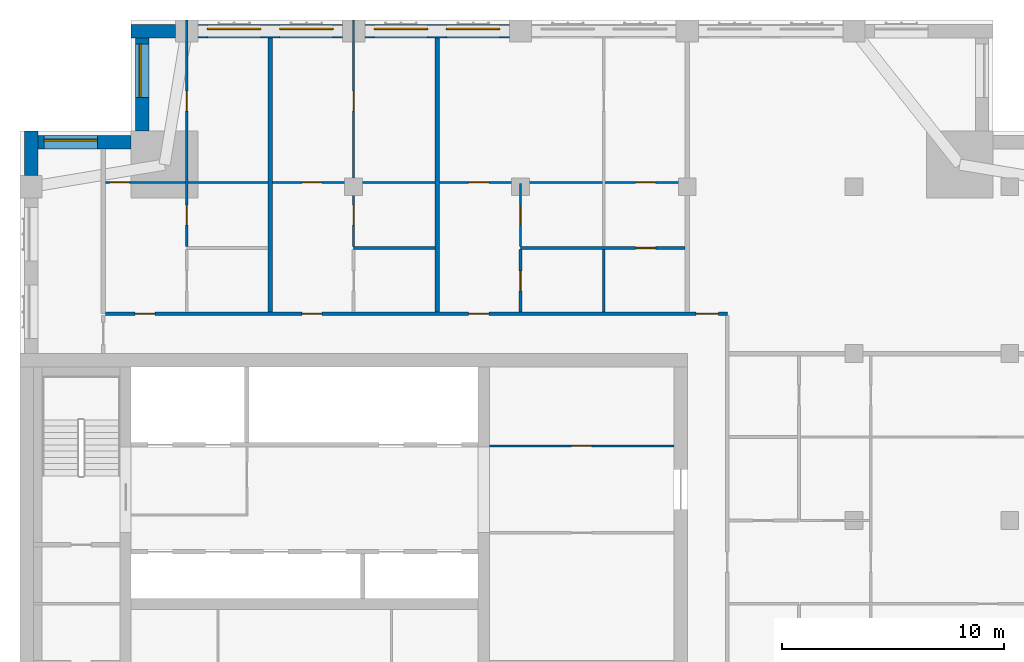
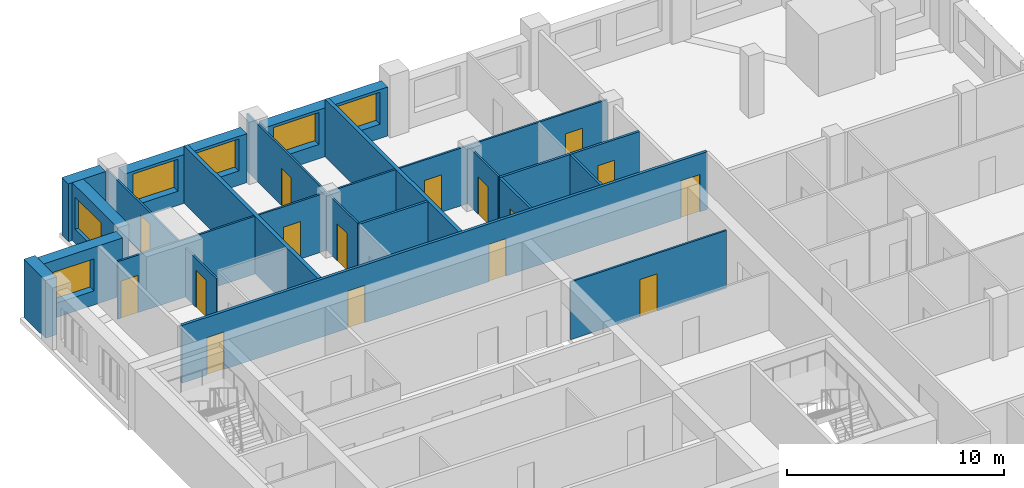
# One storey, part 7 of 11: 18 walls, 16 doors, 6 windows, 22 openings.
"""IFC4 building model written with IfcOpenShell, lengths in metres."""

from ifc_helpers import new_model, si_unit, direction, frame, frame_2d, origin, place, context, subcontext, project, spatial, rectangle, extrude, material, layer, layer_set, type_object, element, fill, save


model = new_model("IFC4")

# Units and contexts
model_context = context("Model", 3, precision=1e-05, world=origin(), true_north=direction((0.0, 1.0)))
body_context = subcontext(model_context, "Body", "Model", "MODEL_VIEW")
ifc_project = project(units=[si_unit("LENGTHUNIT", "METRE"), si_unit("AREAUNIT", "SQUARE_METRE"), si_unit("VOLUMEUNIT", "CUBIC_METRE"), si_unit("PLANEANGLEUNIT", "RADIAN"), si_unit("MASSUNIT", "GRAM", prefix="KILO")], contexts=[model_context])

# Site, building, storey
site_placement = place(None, origin())
site = spatial("IfcSite", under=ifc_project, at=site_placement, CompositionType="ELEMENT")
building_placement = place(site_placement, origin())
building = spatial("IfcBuilding", under=site, at=building_placement, Name="Tamorin Gate", CompositionType="ELEMENT")
storey_placement = place(building_placement, frame((0.0, 0.0, 233.699951171875)))
storey = spatial("IfcBuildingStorey", under=building, at=storey_placement, Name="L58", CompositionType="ELEMENT", Elevation=233.699951171875)

# Wall, openings, windows
ifc_material_1 = material(Name="Precast concrete C40/50", Category="concrete")
ifc_layer_1 = layer(ifc_material_1, 0.60009765625)
ifc_layer_set_1 = layer_set([ifc_layer_1], Name="Precast concrete C40/50")
wall_type_1 = type_object("IfcWallType", Name="Board-marked concrete facade panel 600", PredefinedType="SOLIDWALL", material=ifc_layer_set_1)
wall_1_placement = place(storey_placement, frame((52.0, 97.0, 0.0), z_axis=(0.0, 0.0, 1.0), x_axis=(-1.0, 0.0, 0.0)))
wall_1 = element("IfcWall", 1, at=wall_1_placement, inside=storey, type_object=wall_type_1, Name="Facade panel", PredefinedType="SOLIDWALL", context=body_context, shape_type="SweptSolid", body=[
    extrude(rectangle(XDim=6.5, YDim=0.60009765625, at=frame_2d((3.25, 0.0))), origin(), (0.0, 0.0, 1.0), 2.75),
])
opening_1_placement = place(wall_1_placement, frame((3.675048828125, 0.0, 0.800048828125)))
opening_1 = element("IfcOpeningElement", 2, at=opening_1_placement, cuts=wall_1, Name="Opening WN1", PredefinedType="OPENING", context=body_context, shape_type="SweptSolid", body=[
    extrude(rectangle(XDim=2.39990234375, YDim=1.800048828125, at=frame_2d((1.199951171875, 0.89990234375))), frame((0.0, 0.31005859375, 0.0), z_axis=(0.0, -1.0, 0.0), x_axis=(1.0, 0.0, 0.0)), (0.0, 0.0, 1.0), 0.6201171875),
])
opening_2_placement = place(wall_1_placement, frame((0.425048828125, 0.0, 0.800048828125)))
opening_2 = element("IfcOpeningElement", 3, at=opening_2_placement, cuts=wall_1, Name="Opening WN1", PredefinedType="OPENING", context=body_context, shape_type="SweptSolid", body=[
    extrude(rectangle(XDim=2.39990234375, YDim=1.800048828125, at=frame_2d((1.199951171875, 0.89990234375))), frame((0.0, 0.31005859375, 0.0), z_axis=(0.0, -1.0, 0.0), x_axis=(1.0, 0.0, 0.0)), (0.0, 0.0, 1.0), 0.6201171875),
])
ifc_material_2 = material(Name="Clear glass in aluminium frame", Category="aluminium")
window_type = type_object("IfcWindowType", Name="Deep-set window 2400x1800", PartitioningType="SINGLE_PANEL", PredefinedType="WINDOW", material=ifc_material_2)
window_1_placement = place(opening_1_placement, origin())
window_1 = element("IfcWindow", 4, at=window_1_placement, inside=storey, type_object=window_type, Name="Deep-set window", OverallHeight=1.800048828125, OverallWidth=2.39990234375, PartitioningType="SINGLE_PANEL", PredefinedType="WINDOW", context=body_context, shape_type="SweptSolid", body=[
    extrude(rectangle(XDim=2.39990234375, YDim=1.800048828125, at=frame_2d((1.199951171875, 0.89990234375))), frame((0.0, -0.070068359375, 0.0), z_axis=(0.0, -1.0, 0.0), x_axis=(1.0, 0.0, 0.0)), (0.0, 0.0, 1.0), 0.06005859375),
])
fill(opening_1, window_1)
window_2_placement = place(opening_2_placement, origin())
window_2 = element("IfcWindow", 5, at=window_2_placement, inside=storey, type_object=window_type, Name="Deep-set window", OverallHeight=1.800048828125, OverallWidth=2.39990234375, PartitioningType="SINGLE_PANEL", PredefinedType="WINDOW", context=body_context, shape_type="SweptSolid", body=[
    extrude(rectangle(XDim=2.39990234375, YDim=1.800048828125, at=frame_2d((1.199951171875, 0.89990234375))), frame((0.0, -0.070068359375, 0.0), z_axis=(0.0, -1.0, 0.0), x_axis=(1.0, 0.0, 0.0)), (0.0, 0.0, 1.0), 0.06005859375),
])
fill(opening_2, window_2)

wall_2_placement = place(storey_placement, frame((44.5, 97.0, 0.0), z_axis=(0.0, 0.0, 1.0), x_axis=(-1.0, 0.0, 0.0)))
wall_2 = element("IfcWall", 6, at=wall_2_placement, inside=storey, type_object=wall_type_1, Name="Facade panel", PredefinedType="SOLIDWALL", context=body_context, shape_type="SweptSolid", body=[
    extrude(rectangle(XDim=6.5, YDim=0.60009765625, at=frame_2d((3.25, 0.0))), origin(), (0.0, 0.0, 1.0), 2.75),
])
opening_3_placement = place(wall_2_placement, frame((3.675048828125, 0.0, 0.800048828125)))
opening_3 = element("IfcOpeningElement", 7, at=opening_3_placement, cuts=wall_2, Name="Opening WN1", PredefinedType="OPENING", context=body_context, shape_type="SweptSolid", body=[
    extrude(rectangle(XDim=2.39990234375, YDim=1.800048828125, at=frame_2d((1.199951171875, 0.89990234375))), frame((0.0, 0.31005859375, 0.0), z_axis=(0.0, -1.0, 0.0), x_axis=(1.0, 0.0, 0.0)), (0.0, 0.0, 1.0), 0.6201171875),
])
opening_4_placement = place(wall_2_placement, frame((0.425048828125, 0.0, 0.800048828125)))
opening_4 = element("IfcOpeningElement", 8, at=opening_4_placement, cuts=wall_2, Name="Opening WN1", PredefinedType="OPENING", context=body_context, shape_type="SweptSolid", body=[
    extrude(rectangle(XDim=2.39990234375, YDim=1.800048828125, at=frame_2d((1.199951171875, 0.89990234375))), frame((0.0, 0.31005859375, 0.0), z_axis=(0.0, -1.0, 0.0), x_axis=(1.0, 0.0, 0.0)), (0.0, 0.0, 1.0), 0.6201171875),
])
window_3_placement = place(opening_3_placement, origin())
window_3 = element("IfcWindow", 9, at=window_3_placement, inside=storey, type_object=window_type, Name="Deep-set window", OverallHeight=1.800048828125, OverallWidth=2.39990234375, PartitioningType="SINGLE_PANEL", PredefinedType="WINDOW", context=body_context, shape_type="SweptSolid", body=[
    extrude(rectangle(XDim=2.39990234375, YDim=1.800048828125, at=frame_2d((1.199951171875, 0.89990234375))), frame((0.0, -0.070068359375, 0.0), z_axis=(0.0, -1.0, 0.0), x_axis=(1.0, 0.0, 0.0)), (0.0, 0.0, 1.0), 0.06005859375),
])
fill(opening_3, window_3)
window_4_placement = place(opening_4_placement, origin())
window_4 = element("IfcWindow", 10, at=window_4_placement, inside=storey, type_object=window_type, Name="Deep-set window", OverallHeight=1.800048828125, OverallWidth=2.39990234375, PartitioningType="SINGLE_PANEL", PredefinedType="WINDOW", context=body_context, shape_type="SweptSolid", body=[
    extrude(rectangle(XDim=2.39990234375, YDim=1.800048828125, at=frame_2d((1.199951171875, 0.89990234375))), frame((0.0, -0.070068359375, 0.0), z_axis=(0.0, -1.0, 0.0), x_axis=(1.0, 0.0, 0.0)), (0.0, 0.0, 1.0), 0.06005859375),
])
fill(opening_4, window_4)

# Wall
wall_3_placement = place(storey_placement, frame((37.0, 97.0, 0.0), z_axis=(0.0, 0.0, 1.0), x_axis=(-1.0, 0.0, 0.0)))
element("IfcWall", 11, at=wall_3_placement, inside=storey, type_object=wall_type_1, Name="Facade panel", PredefinedType="SOLIDWALL", context=body_context, shape_type="SweptSolid", body=[
    extrude(rectangle(XDim=2.0, YDim=0.60009765625, at=frame_2d((1.0, 0.0))), origin(), (0.0, 0.0, 1.0), 3.25),
])

# Wall, opening, window
wall_4_placement = place(storey_placement, frame((35.5, 96.699951171875, 0.0), z_axis=(0.0, 0.0, 1.0), x_axis=(0.0, -1.0, 0.0)))
wall_4 = element("IfcWall", 12, at=wall_4_placement, inside=storey, type_object=wall_type_1, Name="Facade panel", PredefinedType="SOLIDWALL", context=body_context, shape_type="SweptSolid", body=[
    extrude(rectangle(XDim=4.199951171875, YDim=0.60009765625, at=frame_2d((2.10009765625, 0.0))), origin(), (0.0, 0.0, 1.0), 3.25),
])
opening_5_placement = place(wall_4_placement, frame((0.27490234375, 0.0, 0.800048828125)))
opening_5 = element("IfcOpeningElement", 13, at=opening_5_placement, cuts=wall_4, Name="Opening WN1", PredefinedType="OPENING", context=body_context, shape_type="SweptSolid", body=[
    extrude(rectangle(XDim=2.39990234375, YDim=1.800048828125, at=frame_2d((1.199951171875, 0.89990234375))), frame((0.0, 0.31005859375, 0.0), z_axis=(0.0, -1.0, 0.0), x_axis=(1.0, 0.0, 0.0)), (0.0, 0.0, 1.0), 0.6201171875),
])
window_5_placement = place(opening_5_placement, origin())
window_5 = element("IfcWindow", 14, at=window_5_placement, inside=storey, type_object=window_type, Name="Deep-set window", OverallHeight=1.800048828125, OverallWidth=2.39990234375, PartitioningType="SINGLE_PANEL", PredefinedType="WINDOW", context=body_context, shape_type="SweptSolid", body=[
    extrude(rectangle(XDim=2.39990234375, YDim=1.800048828125, at=frame_2d((1.199951171875, 0.89990234375))), frame((0.0, -0.070068359375, 0.0), z_axis=(0.0, -1.0, 0.0), x_axis=(1.0, 0.0, 0.0)), (0.0, 0.0, 1.0), 0.06005859375),
])
fill(opening_5, window_5)

wall_5_placement = place(storey_placement, frame((35.0, 92.0, 0.0), z_axis=(0.0, 0.0, 1.0), x_axis=(-1.0, 0.0, 0.0)))
wall_5 = element("IfcWall", 15, at=wall_5_placement, inside=storey, type_object=wall_type_1, Name="Facade panel", PredefinedType="SOLIDWALL", context=body_context, shape_type="SweptSolid", body=[
    extrude(rectangle(XDim=4.199951171875, YDim=0.60009765625, at=frame_2d((2.10009765625, 0.0))), origin(), (0.0, 0.0, 1.0), 3.25),
])
opening_6_placement = place(wall_5_placement, frame((1.52490234375, 0.0, 0.800048828125)))
opening_6 = element("IfcOpeningElement", 16, at=opening_6_placement, cuts=wall_5, Name="Opening WN1", PredefinedType="OPENING", context=body_context, shape_type="SweptSolid", body=[
    extrude(rectangle(XDim=2.39990234375, YDim=1.800048828125, at=frame_2d((1.199951171875, 0.89990234375))), frame((0.0, 0.31005859375, 0.0), z_axis=(0.0, -1.0, 0.0), x_axis=(1.0, 0.0, 0.0)), (0.0, 0.0, 1.0), 0.6201171875),
])
window_6_placement = place(opening_6_placement, origin())
window_6 = element("IfcWindow", 17, at=window_6_placement, inside=storey, type_object=window_type, Name="Deep-set window", OverallHeight=1.800048828125, OverallWidth=2.39990234375, PartitioningType="SINGLE_PANEL", PredefinedType="WINDOW", context=body_context, shape_type="SweptSolid", body=[
    extrude(rectangle(XDim=2.39990234375, YDim=1.800048828125, at=frame_2d((1.199951171875, 0.89990234375))), frame((0.0, -0.070068359375, 0.0), z_axis=(0.0, -1.0, 0.0), x_axis=(1.0, 0.0, 0.0)), (0.0, 0.0, 1.0), 0.06005859375),
])
fill(opening_6, window_6)

# Wall
wall_6_placement = place(storey_placement, frame((30.5, 92.5, 0.0), z_axis=(0.0, 0.0, 1.0), x_axis=(0.0, -1.0, 0.0)))
element("IfcWall", 18, at=wall_6_placement, inside=storey, type_object=wall_type_1, Name="Facade panel", PredefinedType="SOLIDWALL", context=body_context, shape_type="SweptSolid", body=[
    extrude(rectangle(XDim=2.0, YDim=0.60009765625, at=frame_2d((1.0, 0.0))), origin(), (0.0, 0.0, 1.0), 3.25),
])

# Wall, openings, doors
ifc_material_3 = material(Name="Gypsum board partition")
ifc_layer_2 = layer(ifc_material_3, 0.14990234375)
ifc_layer_set_2 = layer_set([ifc_layer_2], Name="Corridor wall 150")
wall_type_2 = type_object("IfcWallType", Name="Corridor wall 150", PredefinedType="PARTITIONING", material=ifc_layer_set_2)
wall_7_placement = place(storey_placement, frame((33.85009765625, 84.300048828125, 0.0), z_axis=(0.0, 0.0, 1.0), x_axis=(1.0, 0.0, 0.0)))
wall_7 = element("IfcWall", 19, at=wall_7_placement, inside=storey, type_object=wall_type_2, Name="Corridor wall 150", PredefinedType="PARTITIONING", context=body_context, shape_type="SweptSolid", body=[
    extrude(rectangle(XDim=27.949951171875, YDim=0.14990234375, at=frame_2d((13.97509765625, 0.0))), origin(), (0.0, 0.0, 1.0), 3.25),
])
opening_7_placement = place(wall_7_placement, frame((1.324951171875, 0.0, 0.0)))
opening_7 = element("IfcOpeningElement", 20, at=opening_7_placement, cuts=wall_7, Name="Opening DR8027", PredefinedType="OPENING", context=body_context, shape_type="SweptSolid", body=[
    extrude(rectangle(XDim=0.89990234375, YDim=2.10009765625, at=frame_2d((0.449951171875, 1.050048828125))), frame((0.0, 0.0849609375, 0.0), z_axis=(0.0, -1.0, 0.0), x_axis=(1.0, 0.0, 0.0)), (0.0, 0.0, 1.0), 0.169921875),
])
opening_8_placement = place(wall_7_placement, frame((8.824951171875, 0.0, 0.0)))
opening_8 = element("IfcOpeningElement", 21, at=opening_8_placement, cuts=wall_7, Name="Opening DR8032", PredefinedType="OPENING", context=body_context, shape_type="SweptSolid", body=[
    extrude(rectangle(XDim=0.89990234375, YDim=2.10009765625, at=frame_2d((0.449951171875, 1.050048828125))), frame((0.0, 0.0849609375, 0.0), z_axis=(0.0, -1.0, 0.0), x_axis=(1.0, 0.0, 0.0)), (0.0, 0.0, 1.0), 0.169921875),
])
opening_9_placement = place(wall_7_placement, frame((16.324951171875, 0.0, 0.0)))
opening_9 = element("IfcOpeningElement", 22, at=opening_9_placement, cuts=wall_7, Name="Opening DR8037", PredefinedType="OPENING", context=body_context, shape_type="SweptSolid", body=[
    extrude(rectangle(XDim=0.89990234375, YDim=2.10009765625, at=frame_2d((0.449951171875, 1.050048828125))), frame((0.0, 0.0849609375, 0.0), z_axis=(0.0, -1.0, 0.0), x_axis=(1.0, 0.0, 0.0)), (0.0, 0.0, 1.0), 0.169921875),
])
opening_10_placement = place(wall_7_placement, frame((26.550048828125, 0.0, 0.0)))
opening_10 = element("IfcOpeningElement", 23, at=opening_10_placement, cuts=wall_7, Name="Opening DR8044", PredefinedType="OPENING", context=body_context, shape_type="SweptSolid", body=[
    extrude(rectangle(XDim=1.0, YDim=2.10009765625, at=frame_2d((0.5, 1.050048828125))), frame((0.0, 0.0849609375, 0.0), z_axis=(0.0, -1.0, 0.0), x_axis=(1.0, 0.0, 0.0)), (0.0, 0.0, 1.0), 0.169921875),
])
ifc_material_4 = material(Name="Timber door leaf", Category="wood")
door_type_1 = type_object("IfcDoorType", Name="Door 1000 x 2100 FD30S", OperationType="NOTDEFINED", PredefinedType="DOOR", material=ifc_material_4)
door_1_placement = place(opening_10_placement, origin())
door_1 = element("IfcDoor", 24, at=door_1_placement, inside=storey, type_object=door_type_1, Name="Door DR8044", OperationType="SINGLE_SWING_LEFT", OverallHeight=2.10009765625, OverallWidth=1.0, PredefinedType="DOOR", context=body_context, shape_type="SweptSolid", body=[
    extrude(rectangle(XDim=1.0, YDim=2.10009765625, at=frame_2d((0.5, 1.050048828125))), frame((0.0, 0.02490234375, 0.0), z_axis=(0.0, -1.0, 0.0), x_axis=(1.0, 0.0, 0.0)), (0.0, 0.0, 1.0), 0.050048828125),
])
fill(opening_10, door_1)
door_type_2 = type_object("IfcDoorType", Name="Door 900 x 2100 FD30S", OperationType="NOTDEFINED", PredefinedType="DOOR", material=ifc_material_4)
door_2_placement = place(opening_7_placement, origin())
door_2 = element("IfcDoor", 25, at=door_2_placement, inside=storey, type_object=door_type_2, Name="Door DR8027", OperationType="SINGLE_SWING_LEFT", OverallHeight=2.10009765625, OverallWidth=0.89990234375, PredefinedType="DOOR", context=body_context, shape_type="SweptSolid", body=[
    extrude(rectangle(XDim=0.89990234375, YDim=2.10009765625, at=frame_2d((0.449951171875, 1.050048828125))), frame((0.0, 0.02490234375, 0.0), z_axis=(0.0, -1.0, 0.0), x_axis=(1.0, 0.0, 0.0)), (0.0, 0.0, 1.0), 0.050048828125),
])
fill(opening_7, door_2)
door_3_placement = place(opening_8_placement, origin())
door_3 = element("IfcDoor", 26, at=door_3_placement, inside=storey, type_object=door_type_2, Name="Door DR8032", OperationType="SINGLE_SWING_LEFT", OverallHeight=2.10009765625, OverallWidth=0.89990234375, PredefinedType="DOOR", context=body_context, shape_type="SweptSolid", body=[
    extrude(rectangle(XDim=0.89990234375, YDim=2.10009765625, at=frame_2d((0.449951171875, 1.050048828125))), frame((0.0, 0.02490234375, 0.0), z_axis=(0.0, -1.0, 0.0), x_axis=(1.0, 0.0, 0.0)), (0.0, 0.0, 1.0), 0.050048828125),
])
fill(opening_8, door_3)
door_4_placement = place(opening_9_placement, origin())
door_4 = element("IfcDoor", 27, at=door_4_placement, inside=storey, type_object=door_type_2, Name="Door DR8037", OperationType="SINGLE_SWING_LEFT", OverallHeight=2.10009765625, OverallWidth=0.89990234375, PredefinedType="DOOR", context=body_context, shape_type="SweptSolid", body=[
    extrude(rectangle(XDim=0.89990234375, YDim=2.10009765625, at=frame_2d((0.449951171875, 1.050048828125))), frame((0.0, 0.02490234375, 0.0), z_axis=(0.0, -1.0, 0.0), x_axis=(1.0, 0.0, 0.0)), (0.0, 0.0, 1.0), 0.050048828125),
])
fill(opening_9, door_4)

# Walls
ifc_layer_3 = layer(ifc_material_3, 0.199951171875)
ifc_layer_set_3 = layer_set([ifc_layer_3], Name="Demising wall 200")
wall_type_3 = type_object("IfcWallType", Name="Demising wall 200", PredefinedType="PARTITIONING", material=ifc_layer_set_3)
for number, where, z_axis, x_axis, name in (
    (28, (41.25, 84.375, 0.0), (0.0, 0.0, 1.0), (0.0, 1.0, 0.0), "Demising wall 200"),
    (29, (48.75, 84.375, 0.0), (0.0, 0.0, 1.0), (0.0, 1.0, 0.0), "Demising wall 200"),
):
    element("IfcWall", number, at=place(storey_placement, frame(where, z_axis=z_axis, x_axis=x_axis)), inside=storey, type_object=wall_type_3, Name=name, PredefinedType="PARTITIONING", context=body_context, shape_type="SweptSolid", body=[
        extrude(rectangle(XDim=12.31494140625, YDim=0.199951171875, at=frame_2d((6.157470703125, 0.0))), origin(), (0.0, 0.0, 1.0), 3.25),
    ])

# Wall, openings, doors
ifc_layer_4 = layer(ifc_material_3, 0.10009765625)
ifc_layer_set_4 = layer_set([ifc_layer_4], Name="Room partition 100")
wall_type_4 = type_object("IfcWallType", Name="Room partition 100", PredefinedType="PARTITIONING", material=ifc_layer_set_4)
wall_8_placement = place(storey_placement, frame((33.85009765625, 90.199951171875, 0.0), z_axis=(0.0, 0.0, 1.0), x_axis=(1.0, 0.0, 0.0)))
wall_8 = element("IfcWall", 30, at=wall_8_placement, inside=storey, type_object=wall_type_4, Name="Room partition 100", PredefinedType="PARTITIONING", context=body_context, shape_type="SweptSolid", body=[
    extrude(rectangle(XDim=26.0498046875, YDim=0.10009765625, at=frame_2d((13.02490234375, 0.0))), origin(), (0.0, 0.0, 1.0), 3.25),
])
opening_11_placement = place(wall_8_placement, frame((0.175048828125, 0.0, 0.0)))
opening_11 = element("IfcOpeningElement", 31, at=opening_11_placement, cuts=wall_8, Name="Opening DR8028", PredefinedType="OPENING", context=body_context, shape_type="SweptSolid", body=[
    extrude(rectangle(XDim=0.89990234375, YDim=2.10009765625, at=frame_2d((0.449951171875, 1.050048828125))), frame((0.0, 0.06005859375, 0.0), z_axis=(0.0, -1.0, 0.0), x_axis=(1.0, 0.0, 0.0)), (0.0, 0.0, 1.0), 0.1201171875),
])
opening_12_placement = place(wall_8_placement, frame((8.824951171875, 0.0, 0.0)))
opening_12 = element("IfcOpeningElement", 32, at=opening_12_placement, cuts=wall_8, Name="Opening DR8033", PredefinedType="OPENING", context=body_context, shape_type="SweptSolid", body=[
    extrude(rectangle(XDim=0.89990234375, YDim=2.10009765625, at=frame_2d((0.449951171875, 1.050048828125))), frame((0.0, 0.06005859375, 0.0), z_axis=(0.0, -1.0, 0.0), x_axis=(1.0, 0.0, 0.0)), (0.0, 0.0, 1.0), 0.1201171875),
])
opening_13_placement = place(wall_8_placement, frame((16.324951171875, 0.0, 0.0)))
opening_13 = element("IfcOpeningElement", 33, at=opening_13_placement, cuts=wall_8, Name="Opening DR8038", PredefinedType="OPENING", context=body_context, shape_type="SweptSolid", body=[
    extrude(rectangle(XDim=0.89990234375, YDim=2.10009765625, at=frame_2d((0.449951171875, 1.050048828125))), frame((0.0, 0.06005859375, 0.0), z_axis=(0.0, -1.0, 0.0), x_axis=(1.0, 0.0, 0.0)), (0.0, 0.0, 1.0), 0.1201171875),
])
opening_14_placement = place(wall_8_placement, frame((23.824951171875, 0.0, 0.0)))
opening_14 = element("IfcOpeningElement", 34, at=opening_14_placement, cuts=wall_8, Name="Opening DR8041", PredefinedType="OPENING", context=body_context, shape_type="SweptSolid", body=[
    extrude(rectangle(XDim=0.89990234375, YDim=2.10009765625, at=frame_2d((0.449951171875, 1.050048828125))), frame((0.0, 0.06005859375, 0.0), z_axis=(0.0, -1.0, 0.0), x_axis=(1.0, 0.0, 0.0)), (0.0, 0.0, 1.0), 0.1201171875),
])
door_type_3 = type_object("IfcDoorType", Name="Door 900 x 2100", OperationType="NOTDEFINED", PredefinedType="DOOR", material=ifc_material_4)
door_5_placement = place(opening_11_placement, origin())
door_5 = element("IfcDoor", 35, at=door_5_placement, inside=storey, type_object=door_type_3, Name="Door DR8028", OperationType="SINGLE_SWING_RIGHT", OverallHeight=2.10009765625, OverallWidth=0.89990234375, PredefinedType="DOOR", context=body_context, shape_type="SweptSolid", body=[
    extrude(rectangle(XDim=0.89990234375, YDim=2.10009765625, at=frame_2d((0.449951171875, 1.050048828125))), frame((0.0, 0.02490234375, 0.0), z_axis=(0.0, -1.0, 0.0), x_axis=(1.0, 0.0, 0.0)), (0.0, 0.0, 1.0), 0.050048828125),
])
fill(opening_11, door_5)
door_6_placement = place(opening_12_placement, origin())
door_6 = element("IfcDoor", 36, at=door_6_placement, inside=storey, type_object=door_type_3, Name="Door DR8033", OperationType="SINGLE_SWING_RIGHT", OverallHeight=2.10009765625, OverallWidth=0.89990234375, PredefinedType="DOOR", context=body_context, shape_type="SweptSolid", body=[
    extrude(rectangle(XDim=0.89990234375, YDim=2.10009765625, at=frame_2d((0.449951171875, 1.050048828125))), frame((0.0, 0.02490234375, 0.0), z_axis=(0.0, -1.0, 0.0), x_axis=(1.0, 0.0, 0.0)), (0.0, 0.0, 1.0), 0.050048828125),
])
fill(opening_12, door_6)
door_7_placement = place(opening_13_placement, origin())
door_7 = element("IfcDoor", 37, at=door_7_placement, inside=storey, type_object=door_type_3, Name="Door DR8038", OperationType="SINGLE_SWING_RIGHT", OverallHeight=2.10009765625, OverallWidth=0.89990234375, PredefinedType="DOOR", context=body_context, shape_type="SweptSolid", body=[
    extrude(rectangle(XDim=0.89990234375, YDim=2.10009765625, at=frame_2d((0.449951171875, 1.050048828125))), frame((0.0, 0.02490234375, 0.0), z_axis=(0.0, -1.0, 0.0), x_axis=(1.0, 0.0, 0.0)), (0.0, 0.0, 1.0), 0.050048828125),
])
fill(opening_13, door_7)
door_8_placement = place(opening_14_placement, origin())
door_8 = element("IfcDoor", 38, at=door_8_placement, inside=storey, type_object=door_type_3, Name="Door DR8041", OperationType="SINGLE_SWING_RIGHT", OverallHeight=2.10009765625, OverallWidth=0.89990234375, PredefinedType="DOOR", context=body_context, shape_type="SweptSolid", body=[
    extrude(rectangle(XDim=0.89990234375, YDim=2.10009765625, at=frame_2d((0.449951171875, 1.050048828125))), frame((0.0, 0.02490234375, 0.0), z_axis=(0.0, -1.0, 0.0), x_axis=(1.0, 0.0, 0.0)), (0.0, 0.0, 1.0), 0.050048828125),
])
fill(opening_14, door_8)

wall_9_placement = place(storey_placement, frame((37.5, 87.3125, 0.0), z_axis=(0.0, 0.0, 1.0), x_axis=(0.0, 1.0, 0.0)))
wall_9 = element("IfcWall", 39, at=wall_9_placement, inside=storey, type_object=wall_type_4, Name="Room partition 100", PredefinedType="PARTITIONING", context=body_context, shape_type="SweptSolid", body=[
    extrude(rectangle(XDim=10.1875, YDim=0.10009765625, at=frame_2d((5.09375, 0.0))), origin(), (0.0, 0.0, 1.0), 2.75),
])
opening_15_placement = place(wall_9_placement, frame((0.96240234375, 0.0, 0.0)))
opening_15 = element("IfcOpeningElement", 40, at=opening_15_placement, cuts=wall_9, Name="Opening DR8029", PredefinedType="OPENING", context=body_context, shape_type="SweptSolid", body=[
    extrude(rectangle(XDim=0.89990234375, YDim=2.10009765625, at=frame_2d((0.449951171875, 1.050048828125))), frame((0.0, 0.06005859375, 0.0), z_axis=(0.0, -1.0, 0.0), x_axis=(1.0, 0.0, 0.0)), (0.0, 0.0, 1.0), 0.1201171875),
])
opening_16_placement = place(wall_9_placement, frame((6.08740234375, 0.0, 0.0)))
opening_16 = element("IfcOpeningElement", 41, at=opening_16_placement, cuts=wall_9, Name="Opening DR8031", PredefinedType="OPENING", context=body_context, shape_type="SweptSolid", body=[
    extrude(rectangle(XDim=0.89990234375, YDim=2.10009765625, at=frame_2d((0.449951171875, 1.050048828125))), frame((0.0, 0.06005859375, 0.0), z_axis=(0.0, -1.0, 0.0), x_axis=(1.0, 0.0, 0.0)), (0.0, 0.0, 1.0), 0.1201171875),
])
door_9_placement = place(opening_15_placement, origin())
door_9 = element("IfcDoor", 42, at=door_9_placement, inside=storey, type_object=door_type_3, Name="Door DR8029", OperationType="SINGLE_SWING_RIGHT", OverallHeight=2.10009765625, OverallWidth=0.89990234375, PredefinedType="DOOR", context=body_context, shape_type="SweptSolid", body=[
    extrude(rectangle(XDim=0.89990234375, YDim=2.10009765625, at=frame_2d((0.449951171875, 1.050048828125))), frame((0.0, 0.02490234375, 0.0), z_axis=(0.0, -1.0, 0.0), x_axis=(1.0, 0.0, 0.0)), (0.0, 0.0, 1.0), 0.050048828125),
])
fill(opening_15, door_9)
door_10_placement = place(opening_16_placement, origin())
door_10 = element("IfcDoor", 43, at=door_10_placement, inside=storey, type_object=door_type_3, Name="Door DR8031", OperationType="SINGLE_SWING_LEFT", OverallHeight=2.10009765625, OverallWidth=0.89990234375, PredefinedType="DOOR", context=body_context, shape_type="SweptSolid", body=[
    extrude(rectangle(XDim=0.89990234375, YDim=2.10009765625, at=frame_2d((0.449951171875, 1.050048828125))), frame((0.0, 0.02490234375, 0.0), z_axis=(0.0, -1.0, 0.0), x_axis=(1.0, 0.0, 0.0)), (0.0, 0.0, 1.0), 0.050048828125),
])
fill(opening_16, door_10)

wall_10_placement = place(storey_placement, frame((45.0, 87.3125, 0.0), z_axis=(0.0, 0.0, 1.0), x_axis=(0.0, 1.0, 0.0)))
wall_10 = element("IfcWall", 44, at=wall_10_placement, inside=storey, type_object=wall_type_4, Name="Room partition 100", PredefinedType="PARTITIONING", context=body_context, shape_type="SweptSolid", body=[
    extrude(rectangle(XDim=10.1875, YDim=0.10009765625, at=frame_2d((5.09375, 0.0))), origin(), (0.0, 0.0, 1.0), 3.25),
])
opening_17_placement = place(wall_10_placement, frame((0.96240234375, 0.0, 0.0)))
opening_17 = element("IfcOpeningElement", 45, at=opening_17_placement, cuts=wall_10, Name="Opening DR8034", PredefinedType="OPENING", context=body_context, shape_type="SweptSolid", body=[
    extrude(rectangle(XDim=0.89990234375, YDim=2.10009765625, at=frame_2d((0.449951171875, 1.050048828125))), frame((0.0, 0.06005859375, 0.0), z_axis=(0.0, -1.0, 0.0), x_axis=(1.0, 0.0, 0.0)), (0.0, 0.0, 1.0), 0.1201171875),
])
opening_18_placement = place(wall_10_placement, frame((6.08740234375, 0.0, 0.0)))
opening_18 = element("IfcOpeningElement", 46, at=opening_18_placement, cuts=wall_10, Name="Opening DR8036", PredefinedType="OPENING", context=body_context, shape_type="SweptSolid", body=[
    extrude(rectangle(XDim=0.89990234375, YDim=2.10009765625, at=frame_2d((0.449951171875, 1.050048828125))), frame((0.0, 0.06005859375, 0.0), z_axis=(0.0, -1.0, 0.0), x_axis=(1.0, 0.0, 0.0)), (0.0, 0.0, 1.0), 0.1201171875),
])
door_11_placement = place(opening_17_placement, origin())
door_11 = element("IfcDoor", 47, at=door_11_placement, inside=storey, type_object=door_type_3, Name="Door DR8034", OperationType="SINGLE_SWING_RIGHT", OverallHeight=2.10009765625, OverallWidth=0.89990234375, PredefinedType="DOOR", context=body_context, shape_type="SweptSolid", body=[
    extrude(rectangle(XDim=0.89990234375, YDim=2.10009765625, at=frame_2d((0.449951171875, 1.050048828125))), frame((0.0, 0.02490234375, 0.0), z_axis=(0.0, -1.0, 0.0), x_axis=(1.0, 0.0, 0.0)), (0.0, 0.0, 1.0), 0.050048828125),
])
fill(opening_17, door_11)
door_12_placement = place(opening_18_placement, origin())
door_12 = element("IfcDoor", 48, at=door_12_placement, inside=storey, type_object=door_type_3, Name="Door DR8036", OperationType="SINGLE_SWING_LEFT", OverallHeight=2.10009765625, OverallWidth=0.89990234375, PredefinedType="DOOR", context=body_context, shape_type="SweptSolid", body=[
    extrude(rectangle(XDim=0.89990234375, YDim=2.10009765625, at=frame_2d((0.449951171875, 1.050048828125))), frame((0.0, 0.02490234375, 0.0), z_axis=(0.0, -1.0, 0.0), x_axis=(1.0, 0.0, 0.0)), (0.0, 0.0, 1.0), 0.050048828125),
])
fill(opening_18, door_12)

# Wall, opening, door
wall_11_placement = place(storey_placement, frame((52.5, 87.3125, 0.0), z_axis=(0.0, 0.0, 1.0), x_axis=(0.0, 1.0, 0.0)))
wall_11 = element("IfcWall", 49, at=wall_11_placement, inside=storey, type_object=wall_type_4, Name="Room partition 100", PredefinedType="PARTITIONING", context=body_context, shape_type="SweptSolid", body=[
    extrude(rectangle(XDim=2.83740234375, YDim=0.10009765625, at=frame_2d((1.418701171875, 0.0))), origin(), (0.0, 0.0, 1.0), 3.25),
])
opening_19_placement = place(wall_11_placement, frame((0.96240234375, 0.0, 0.0)))
opening_19 = element("IfcOpeningElement", 50, at=opening_19_placement, cuts=wall_11, Name="Opening DR8039", PredefinedType="OPENING", context=body_context, shape_type="SweptSolid", body=[
    extrude(rectangle(XDim=0.89990234375, YDim=2.10009765625, at=frame_2d((0.449951171875, 1.050048828125))), frame((0.0, 0.06005859375, 0.0), z_axis=(0.0, -1.0, 0.0), x_axis=(1.0, 0.0, 0.0)), (0.0, 0.0, 1.0), 0.1201171875),
])
door_13_placement = place(opening_19_placement, origin())
door_13 = element("IfcDoor", 51, at=door_13_placement, inside=storey, type_object=door_type_3, Name="Door DR8039", OperationType="SINGLE_SWING_RIGHT", OverallHeight=2.10009765625, OverallWidth=0.89990234375, PredefinedType="DOOR", context=body_context, shape_type="SweptSolid", body=[
    extrude(rectangle(XDim=0.89990234375, YDim=2.10009765625, at=frame_2d((0.449951171875, 1.050048828125))), frame((0.0, 0.02490234375, 0.0), z_axis=(0.0, -1.0, 0.0), x_axis=(1.0, 0.0, 0.0)), (0.0, 0.0, 1.0), 0.050048828125),
])
fill(opening_19, door_13)

ifc_layer_5 = layer(ifc_material_3, 0.10009765625)
ifc_layer_set_5 = layer_set([ifc_layer_5], Name="Service room partition 100 EI 60")
wall_type_5 = type_object("IfcWallType", Name="Service room partition 100 EI 60", PredefinedType="PARTITIONING", material=ifc_layer_set_5)
wall_12_placement = place(storey_placement, frame((51.10009765625, 78.35009765625, 0.0), z_axis=(0.0, 0.0, 1.0), x_axis=(1.0, 0.0, 0.0)))
wall_12 = element("IfcWall", 52, at=wall_12_placement, inside=storey, type_object=wall_type_5, Name="Service room wall", PredefinedType="PARTITIONING", context=body_context, shape_type="SweptSolid", body=[
    extrude(rectangle(XDim=8.2998046875, YDim=0.10009765625, at=frame_2d((4.14990234375, 0.0))), origin(), (0.0, 0.0, 1.0), 3.25),
])
opening_20_placement = place(wall_12_placement, frame((3.699951171875, 0.0, 0.0)))
opening_20 = element("IfcOpeningElement", 53, at=opening_20_placement, cuts=wall_12, Name="Opening DK1", PredefinedType="OPENING", context=body_context, shape_type="SweptSolid", body=[
    extrude(rectangle(XDim=0.89990234375, YDim=2.10009765625, at=frame_2d((0.449951171875, 1.050048828125))), frame((0.0, 0.06005859375, 0.0), z_axis=(0.0, -1.0, 0.0), x_axis=(1.0, 0.0, 0.0)), (0.0, 0.0, 1.0), 0.1201171875),
])
ifc_material_5 = material(Name="Timber fire door", Category="wood")
door_type_4 = type_object("IfcDoorType", Name="Service room door 900 x 2100 EI 60", OperationType="SINGLE_SWING_LEFT", PredefinedType="DOOR", material=ifc_material_5)
door_14_placement = place(opening_20_placement, origin())
door_14 = element("IfcDoor", 54, at=door_14_placement, inside=storey, type_object=door_type_4, Name="Door Pantry", OperationType="SINGLE_SWING_RIGHT", OverallHeight=2.10009765625, OverallWidth=0.89990234375, PredefinedType="DOOR", context=body_context, shape_type="SweptSolid", body=[
    extrude(rectangle(XDim=0.89990234375, YDim=2.10009765625, at=frame_2d((0.449951171875, 1.050048828125))), frame((0.0, 0.02490234375, 0.0), z_axis=(0.0, -1.0, 0.0), x_axis=(1.0, 0.0, 0.0)), (0.0, 0.0, 1.0), 0.050048828125),
])
fill(opening_20, door_14)

# Wall
ifc_layer_6 = layer(ifc_material_3, 0.125)
ifc_layer_set_6 = layer_set([ifc_layer_6], Name="Wet wall 125")
wall_type_6 = type_object("IfcWallType", Name="Wet wall 125", PredefinedType="PARTITIONING", material=ifc_layer_set_6)
wall_13_placement = place(storey_placement, frame((45.0, 87.25, 0.0), z_axis=(0.0, 0.0, 1.0), x_axis=(1.0, 0.0, 0.0)))
element("IfcWall", 55, at=wall_13_placement, inside=storey, type_object=wall_type_6, Name="Wet wall 125", PredefinedType="PARTITIONING", context=body_context, shape_type="SweptSolid", body=[
    extrude(rectangle(XDim=3.64990234375, YDim=0.125, at=frame_2d((1.824951171875, 0.0))), origin(), (0.0, 0.0, 1.0), 3.25),
])

# Wall, opening, door
wall_14_placement = place(storey_placement, frame((52.5, 87.25, 0.0), z_axis=(0.0, 0.0, 1.0), x_axis=(1.0, 0.0, 0.0)))
wall_14 = element("IfcWall", 56, at=wall_14_placement, inside=storey, type_object=wall_type_6, Name="Wet wall 125", PredefinedType="PARTITIONING", context=body_context, shape_type="SweptSolid", body=[
    extrude(rectangle(XDim=7.39990234375, YDim=0.125, at=frame_2d((3.699951171875, 0.0))), origin(), (0.0, 0.0, 1.0), 3.25),
])
opening_21_placement = place(wall_14_placement, frame((5.175048828125, 0.0, 0.0)))
opening_21 = element("IfcOpeningElement", 57, at=opening_21_placement, cuts=wall_14, Name="Opening DR8042", PredefinedType="OPENING", context=body_context, shape_type="SweptSolid", body=[
    extrude(rectangle(XDim=0.89990234375, YDim=2.10009765625, at=frame_2d((0.449951171875, 1.050048828125))), frame((0.0, 0.072509765625, 0.0), z_axis=(0.0, -1.0, 0.0), x_axis=(1.0, 0.0, 0.0)), (0.0, 0.0, 1.0), 0.14501953125),
])
door_15_placement = place(opening_21_placement, origin())
door_15 = element("IfcDoor", 58, at=door_15_placement, inside=storey, type_object=door_type_3, Name="Door DR8042", OperationType="SINGLE_SWING_RIGHT", OverallHeight=2.10009765625, OverallWidth=0.89990234375, PredefinedType="DOOR", context=body_context, shape_type="SweptSolid", body=[
    extrude(rectangle(XDim=0.89990234375, YDim=2.10009765625, at=frame_2d((0.449951171875, 1.050048828125))), frame((0.0, 0.02490234375, 0.0), z_axis=(0.0, -1.0, 0.0), x_axis=(1.0, 0.0, 0.0)), (0.0, 0.0, 1.0), 0.050048828125),
])
fill(opening_21, door_15)

wall_15_placement = place(storey_placement, frame((52.5, 84.375, 0.0), z_axis=(0.0, 0.0, 1.0), x_axis=(0.0, 1.0, 0.0)))
wall_15 = element("IfcWall", 59, at=wall_15_placement, inside=storey, type_object=wall_type_6, Name="Wet wall 125", PredefinedType="PARTITIONING", context=body_context, shape_type="SweptSolid", body=[
    extrude(rectangle(XDim=2.8125, YDim=0.125, at=frame_2d((1.40625, 0.0))), origin(), (0.0, 0.0, 1.0), 3.25),
])
opening_22_placement = place(wall_15_placement, frame((0.949951171875, 0.0, 0.0)))
opening_22 = element("IfcOpeningElement", 60, at=opening_22_placement, cuts=wall_15, Name="Opening DR8040", PredefinedType="OPENING", context=body_context, shape_type="SweptSolid", body=[
    extrude(rectangle(XDim=0.89990234375, YDim=2.10009765625, at=frame_2d((0.449951171875, 1.050048828125))), frame((0.0, 0.072509765625, 0.0), z_axis=(0.0, -1.0, 0.0), x_axis=(1.0, 0.0, 0.0)), (0.0, 0.0, 1.0), 0.14501953125),
])
door_16_placement = place(opening_22_placement, origin())
door_16 = element("IfcDoor", 61, at=door_16_placement, inside=storey, type_object=door_type_3, Name="Door DR8040", OperationType="SINGLE_SWING_RIGHT", OverallHeight=2.10009765625, OverallWidth=0.89990234375, PredefinedType="DOOR", context=body_context, shape_type="SweptSolid", body=[
    extrude(rectangle(XDim=0.89990234375, YDim=2.10009765625, at=frame_2d((0.449951171875, 1.050048828125))), frame((0.0, 0.02490234375, 0.0), z_axis=(0.0, -1.0, 0.0), x_axis=(1.0, 0.0, 0.0)), (0.0, 0.0, 1.0), 0.050048828125),
])
fill(opening_22, door_16)

# Wall
wall_16_placement = place(storey_placement, frame((56.25, 84.375, 0.0), z_axis=(0.0, 0.0, 1.0), x_axis=(0.0, 1.0, 0.0)))
element("IfcWall", 62, at=wall_16_placement, inside=storey, type_object=wall_type_6, Name="Wet wall 125", PredefinedType="PARTITIONING", context=body_context, shape_type="SweptSolid", body=[
    extrude(rectangle(XDim=2.8125, YDim=0.125, at=frame_2d((1.40625, 0.0))), origin(), (0.0, 0.0, 1.0), 3.25),
])

save(model, "model.ifc")
